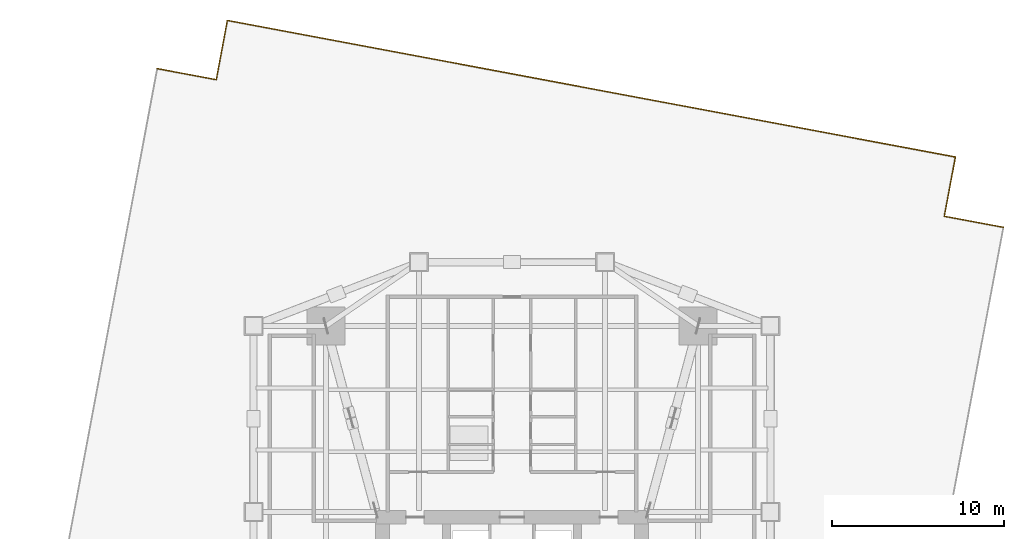
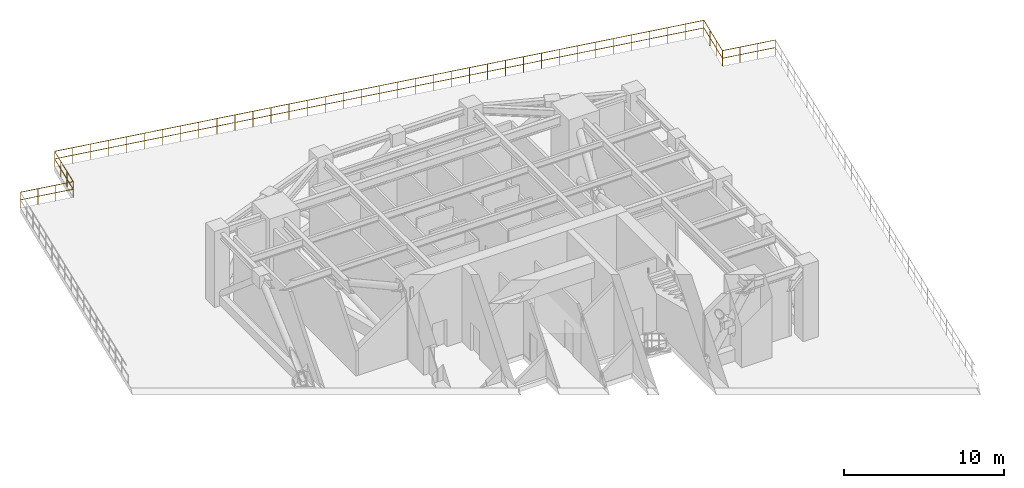
# One storey, part 10 of 10: 5 railings.
"""IFC4 building model written with IfcOpenShell, lengths in metres."""

from ifc_helpers import new_model, si_unit, direction, frame, origin, origin_2d, place, context, subcontext, project, spatial, circle, extrude, material, layer, layer_set, type_object, element, save


model = new_model("IFC4")

# Units and contexts
model_context = context("Model", 3, precision=1e-05, world=origin(), true_north=direction((0.0, 1.0)))
body_context = subcontext(model_context, "Body", "Model", "MODEL_VIEW")
ifc_project = project(units=[si_unit("LENGTHUNIT", "METRE"), si_unit("AREAUNIT", "SQUARE_METRE"), si_unit("VOLUMEUNIT", "CUBIC_METRE"), si_unit("PLANEANGLEUNIT", "RADIAN"), si_unit("MASSUNIT", "GRAM", prefix="KILO")], contexts=[model_context])

# Site, building, storey
site_placement = place(None, origin())
site = spatial("IfcSite", under=ifc_project, at=site_placement, CompositionType="ELEMENT")
building_placement = place(site_placement, origin())
building = spatial("IfcBuilding", under=site, at=building_placement, Name="Krantzveldt Concourse Tower", CompositionType="ELEMENT")
storey_placement = place(building_placement, frame((0.0, 0.0, 80.300048828125)))
storey = spatial("IfcBuildingStorey", under=building, at=storey_placement, Name="L19", CompositionType="ELEMENT", Elevation=80.300048828125)

# Railings
ifc_material = material(Name="Stainless steel 316L", Category="steel")
ifc_layer = layer(ifc_material, 0.080078125, Name="Stainless steel 316L", Category="steel")
ifc_layer_set = layer_set([ifc_layer], Name="Stainless steel 316L (RL-BALUSTRADE-1150)")
railing_type = type_object("IfcRailingType", Name="RL-BALUSTRADE-1150", PredefinedType="BALUSTRADE", material=ifc_layer_set)
railing_1_placement = place(storey_placement, frame((18.832763671875, 51.795654296875, 0.0)))
element("IfcRailing", 1, at=railing_1_placement, inside=storey, type_object=railing_type, Name="GD-L19-WIND-01", PredefinedType="BALUSTRADE", context=body_context, shape_type="SweptSolid", body=[
    extrude(circle(Radius=0.02392578125, at=origin_2d()), frame((0.0, 0.0, 1.17578125), z_axis=(-0.982857969639, 0.184364344482, 0.0), x_axis=(-0.184364344482, -0.982857969639, 0.0)), (0.0, 0.0, 1.0), 3.5),
    extrude(circle(Radius=0.02392578125, at=origin_2d()), frame((0.0, 0.0, 0.60009765625), z_axis=(-0.982857969639, 0.184364344482, 0.0), x_axis=(-0.184364344482, -0.982857969639, 0.0)), (0.0, 0.0, 1.0), 3.5),
    extrude(circle(Radius=0.02099609375, at=origin_2d()), origin(), (0.0, 0.0, 1.0), 1.15185546875),
    extrude(circle(Radius=0.02099609375, at=origin_2d()), frame((-1.146728515625, 0.215087890625, 0.0)), (0.0, 0.0, 1.0), 1.15185546875),
    extrude(circle(Radius=0.02099609375, at=origin_2d()), frame((-2.293212890625, 0.43017578125, 0.0)), (0.0, 0.0, 1.0), 1.15185546875),
    extrude(circle(Radius=0.02099609375, at=origin_2d()), frame((-3.43994140625, 0.645263671875, 0.0)), (0.0, 0.0, 1.0), 1.15185546875),
])
railing_2_placement = place(storey_placement, frame((64.53564453125, 43.221923828125, 0.0)))
element("IfcRailing", 2, at=railing_2_placement, inside=storey, type_object=railing_type, Name="GD-L19-WIND-09", PredefinedType="BALUSTRADE", context=body_context, shape_type="SweptSolid", body=[
    extrude(circle(Radius=0.02392578125, at=origin_2d()), frame((0.0, 0.0, 1.17578125), z_axis=(-0.982860340407, 0.184351705322, 0.0), x_axis=(-0.184351705322, -0.982860340407, 0.0)), (0.0, 0.0, 1.0), 3.500244140625),
    extrude(circle(Radius=0.02392578125, at=origin_2d()), frame((0.0, 0.0, 0.60009765625), z_axis=(-0.982860340407, 0.184351705322, 0.0), x_axis=(-0.184351705322, -0.982860340407, 0.0)), (0.0, 0.0, 1.0), 3.500244140625),
    extrude(circle(Radius=0.02099609375, at=origin_2d()), origin(), (0.0, 0.0, 1.0), 1.15185546875),
    extrude(circle(Radius=0.02099609375, at=origin_2d()), frame((-1.146728515625, 0.215087890625, 0.0)), (0.0, 0.0, 1.0), 1.15185546875),
    extrude(circle(Radius=0.02099609375, at=origin_2d()), frame((-2.29345703125, 0.43017578125, 0.0)), (0.0, 0.0, 1.0), 1.15185546875),
    extrude(circle(Radius=0.02099609375, at=origin_2d()), frame((-3.440185546875, 0.645263671875, 0.0)), (0.0, 0.0, 1.0), 1.15185546875),
])
railing_3_placement = place(storey_placement, frame((61.095458984375, 43.8671875, 0.0)))
element("IfcRailing", 3, at=railing_3_placement, inside=storey, type_object=railing_type, Name="GD-L19-WIND-10", PredefinedType="BALUSTRADE", context=body_context, shape_type="SweptSolid", body=[
    extrude(circle(Radius=0.02392578125, at=origin_2d()), frame((0.0, 0.0, 1.17578125), z_axis=(0.184431727882, 0.982845327481, 0.0), x_axis=(-0.982845327481, 0.184431727882, 0.0)), (0.0, 0.0, 1.0), 3.5),
    extrude(circle(Radius=0.02392578125, at=origin_2d()), frame((0.0, 0.0, 0.60009765625), z_axis=(0.184431727882, 0.982845327481, 0.0), x_axis=(-0.982845327481, 0.184431727882, 0.0)), (0.0, 0.0, 1.0), 3.5),
    extrude(circle(Radius=0.02099609375, at=origin_2d()), origin(), (0.0, 0.0, 1.0), 1.15185546875),
    extrude(circle(Radius=0.02099609375, at=origin_2d()), frame((0.215087890625, 1.146728515625, 0.0)), (0.0, 0.0, 1.0), 1.15185546875),
    extrude(circle(Radius=0.02099609375, at=origin_2d()), frame((0.430419921875, 2.293212890625, 0.0)), (0.0, 0.0, 1.0), 1.15185546875),
    extrude(circle(Radius=0.02099609375, at=origin_2d()), frame((0.6455078125, 3.43994140625, 0.0)), (0.0, 0.0, 1.0), 1.15185546875),
])
railing_4_placement = place(storey_placement, frame((61.740966796875, 47.30712890625, 0.0)))
element("IfcRailing", 4, at=railing_4_placement, inside=storey, type_object=railing_type, Name="GD-L19-WIND-11", PredefinedType="BALUSTRADE", context=body_context, shape_type="SweptSolid", body=[
    extrude(circle(Radius=0.02392578125, at=origin_2d()), frame((0.0, 0.0, 1.17578125), z_axis=(-0.982854635285, 0.184382119248, 0.0), x_axis=(-0.184382119248, -0.982854635285, 0.0)), (0.0, 0.0, 1.0), 43.000244140625),
    extrude(circle(Radius=0.02392578125, at=origin_2d()), frame((0.0, 0.0, 0.60009765625), z_axis=(-0.982854635285, 0.184382119248, 0.0), x_axis=(-0.184382119248, -0.982854635285, 0.0)), (0.0, 0.0, 1.0), 43.000244140625),
    extrude(circle(Radius=0.02099609375, at=origin_2d()), origin(), (0.0, 0.0, 1.0), 1.15185546875),
    extrude(circle(Radius=0.02099609375, at=origin_2d()), frame((-1.174072265625, 0.22021484375, 0.0)), (0.0, 0.0, 1.0), 1.15185546875),
    extrude(circle(Radius=0.02099609375, at=origin_2d()), frame((-2.347900390625, 0.4404296875, 0.0)), (0.0, 0.0, 1.0), 1.15185546875),
    extrude(circle(Radius=0.02099609375, at=origin_2d()), frame((-3.52197265625, 0.66064453125, 0.0)), (0.0, 0.0, 1.0), 1.15185546875),
    extrude(circle(Radius=0.02099609375, at=origin_2d()), frame((-4.69580078125, 0.880859375, 0.0)), (0.0, 0.0, 1.0), 1.15185546875),
    extrude(circle(Radius=0.02099609375, at=origin_2d()), frame((-5.869873046875, 1.10107421875, 0.0)), (0.0, 0.0, 1.0), 1.15185546875),
    extrude(circle(Radius=0.02099609375, at=origin_2d()), frame((-7.0439453125, 1.3212890625, 0.0)), (0.0, 0.0, 1.0), 1.15185546875),
    extrude(circle(Radius=0.02099609375, at=origin_2d()), frame((-8.2177734375, 1.541748046875, 0.0)), (0.0, 0.0, 1.0), 1.15185546875),
    extrude(circle(Radius=0.02099609375, at=origin_2d()), frame((-9.391845703125, 1.761962890625, 0.0)), (0.0, 0.0, 1.0), 1.15185546875),
    extrude(circle(Radius=0.02099609375, at=origin_2d()), frame((-10.565673828125, 1.982177734375, 0.0)), (0.0, 0.0, 1.0), 1.15185546875),
    extrude(circle(Radius=0.02099609375, at=origin_2d()), frame((-11.73974609375, 2.202392578125, 0.0)), (0.0, 0.0, 1.0), 1.15185546875),
    extrude(circle(Radius=0.02099609375, at=origin_2d()), frame((-12.91357421875, 2.422607421875, 0.0)), (0.0, 0.0, 1.0), 1.15185546875),
    extrude(circle(Radius=0.02099609375, at=origin_2d()), frame((-14.087646484375, 2.642822265625, 0.0)), (0.0, 0.0, 1.0), 1.15185546875),
    extrude(circle(Radius=0.02099609375, at=origin_2d()), frame((-15.26171875, 2.863037109375, 0.0)), (0.0, 0.0, 1.0), 1.15185546875),
    extrude(circle(Radius=0.02099609375, at=origin_2d()), frame((-16.435546875, 3.083251953125, 0.0)), (0.0, 0.0, 1.0), 1.15185546875),
    extrude(circle(Radius=0.02099609375, at=origin_2d()), frame((-17.609619140625, 3.303466796875, 0.0)), (0.0, 0.0, 1.0), 1.15185546875),
    extrude(circle(Radius=0.02099609375, at=origin_2d()), frame((-18.783447265625, 3.523681640625, 0.0)), (0.0, 0.0, 1.0), 1.15185546875),
    extrude(circle(Radius=0.02099609375, at=origin_2d()), frame((-19.95751953125, 3.743896484375, 0.0)), (0.0, 0.0, 1.0), 1.15185546875),
    extrude(circle(Radius=0.02099609375, at=origin_2d()), frame((-21.13134765625, 3.96435546875, 0.0)), (0.0, 0.0, 1.0), 1.15185546875),
    extrude(circle(Radius=0.02099609375, at=origin_2d()), frame((-22.305419921875, 4.1845703125, 0.0)), (0.0, 0.0, 1.0), 1.15185546875),
    extrude(circle(Radius=0.02099609375, at=origin_2d()), frame((-23.4794921875, 4.40478515625, 0.0)), (0.0, 0.0, 1.0), 1.15185546875),
    extrude(circle(Radius=0.02099609375, at=origin_2d()), frame((-24.6533203125, 4.625, 0.0)), (0.0, 0.0, 1.0), 1.15185546875),
    extrude(circle(Radius=0.02099609375, at=origin_2d()), frame((-25.827392578125, 4.84521484375, 0.0)), (0.0, 0.0, 1.0), 1.15185546875),
    extrude(circle(Radius=0.02099609375, at=origin_2d()), frame((-27.001220703125, 5.0654296875, 0.0)), (0.0, 0.0, 1.0), 1.15185546875),
    extrude(circle(Radius=0.02099609375, at=origin_2d()), frame((-28.17529296875, 5.28564453125, 0.0)), (0.0, 0.0, 1.0), 1.15185546875),
    extrude(circle(Radius=0.02099609375, at=origin_2d()), frame((-29.349365234375, 5.505859375, 0.0)), (0.0, 0.0, 1.0), 1.15185546875),
    extrude(circle(Radius=0.02099609375, at=origin_2d()), frame((-30.523193359375, 5.72607421875, 0.0)), (0.0, 0.0, 1.0), 1.15185546875),
    extrude(circle(Radius=0.02099609375, at=origin_2d()), frame((-31.697265625, 5.9462890625, 0.0)), (0.0, 0.0, 1.0), 1.15185546875),
    extrude(circle(Radius=0.02099609375, at=origin_2d()), frame((-32.87109375, 6.16650390625, 0.0)), (0.0, 0.0, 1.0), 1.15185546875),
    extrude(circle(Radius=0.02099609375, at=origin_2d()), frame((-34.045166015625, 6.38671875, 0.0)), (0.0, 0.0, 1.0), 1.15185546875),
    extrude(circle(Radius=0.02099609375, at=origin_2d()), frame((-35.21923828125, 6.60693359375, 0.0)), (0.0, 0.0, 1.0), 1.15185546875),
    extrude(circle(Radius=0.02099609375, at=origin_2d()), frame((-36.39306640625, 6.827392578125, 0.0)), (0.0, 0.0, 1.0), 1.15185546875),
    extrude(circle(Radius=0.02099609375, at=origin_2d()), frame((-37.567138671875, 7.047607421875, 0.0)), (0.0, 0.0, 1.0), 1.15185546875),
    extrude(circle(Radius=0.02099609375, at=origin_2d()), frame((-38.740966796875, 7.267822265625, 0.0)), (0.0, 0.0, 1.0), 1.15185546875),
    extrude(circle(Radius=0.02099609375, at=origin_2d()), frame((-39.9150390625, 7.488037109375, 0.0)), (0.0, 0.0, 1.0), 1.15185546875),
    extrude(circle(Radius=0.02099609375, at=origin_2d()), frame((-41.0888671875, 7.708251953125, 0.0)), (0.0, 0.0, 1.0), 1.15185546875),
    extrude(circle(Radius=0.02099609375, at=origin_2d()), frame((-42.262939453125, 7.928466796875, 0.0)), (0.0, 0.0, 1.0), 1.15185546875),
])
railing_5_placement = place(storey_placement, frame((19.47802734375, 55.235595703125, 0.0)))
element("IfcRailing", 5, at=railing_5_placement, inside=storey, type_object=railing_type, Name="GD-L19-WIND-12", PredefinedType="BALUSTRADE", context=body_context, shape_type="SweptSolid", body=[
    extrude(circle(Radius=0.02392578125, at=origin_2d()), frame((0.0, 0.0, 1.17578125), z_axis=(-0.184364344482, -0.982857969639, 0.0), x_axis=(0.982857969639, -0.184364344482, 0.0)), (0.0, 0.0, 1.0), 3.5),
    extrude(circle(Radius=0.02392578125, at=origin_2d()), frame((0.0, 0.0, 0.60009765625), z_axis=(-0.184364344482, -0.982857969639, 0.0), x_axis=(0.982857969639, -0.184364344482, 0.0)), (0.0, 0.0, 1.0), 3.5),
    extrude(circle(Radius=0.02099609375, at=origin_2d()), origin(), (0.0, 0.0, 1.0), 1.15185546875),
    extrude(circle(Radius=0.02099609375, at=origin_2d()), frame((-0.215087890625, -1.146728515625, 0.0)), (0.0, 0.0, 1.0), 1.15185546875),
    extrude(circle(Radius=0.02099609375, at=origin_2d()), frame((-0.43017578125, -2.293212890625, 0.0)), (0.0, 0.0, 1.0), 1.15185546875),
    extrude(circle(Radius=0.02099609375, at=origin_2d()), frame((-0.645263671875, -3.43994140625, 0.0)), (0.0, 0.0, 1.0), 1.15185546875),
])

save(model, "model.ifc")
